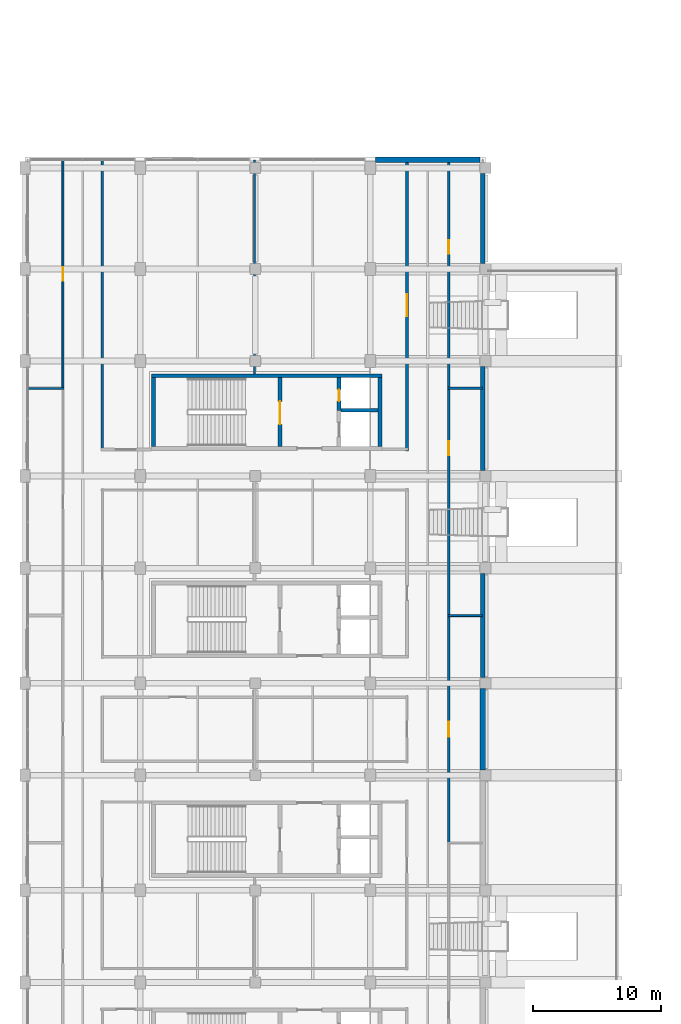
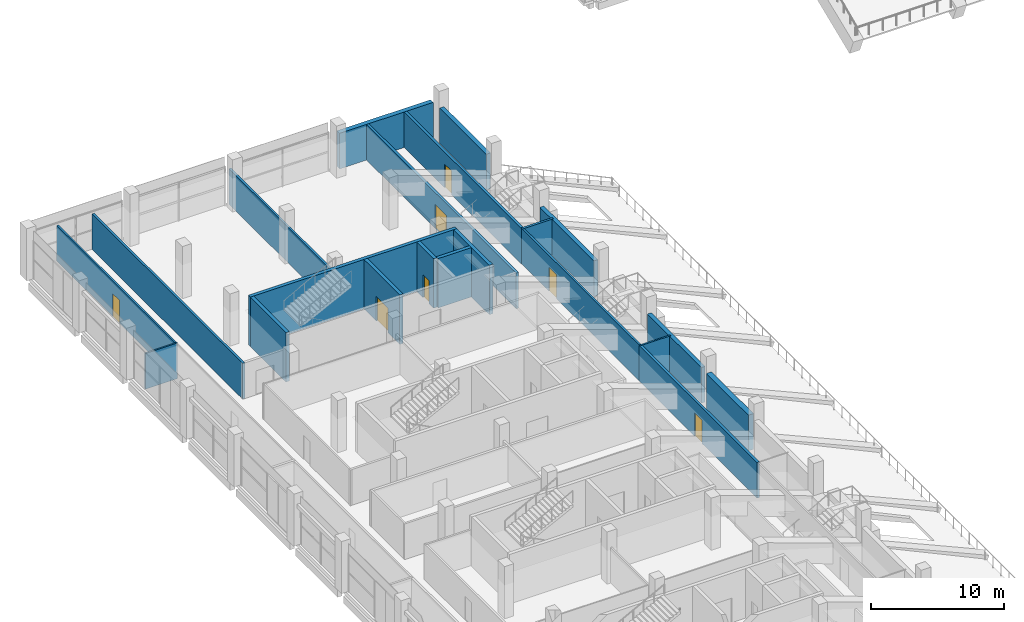
# One storey, part 51 of 66: 21 walls, 7 doors, 7 openings.
"""IFC4 building model written with IfcOpenShell, lengths in metres."""

from ifc_helpers import new_model, si_unit, direction, frame, frame_2d, origin, place, context, subcontext, project, spatial, rectangle, extrude, material, layer, layer_set, type_object, element, fill, save


model = new_model("IFC4")

# Units and contexts
model_context = context("Model", 3, precision=1e-05, world=origin(), true_north=direction((0.0, 1.0)))
body_context = subcontext(model_context, "Body", "Model", "MODEL_VIEW")
ifc_project = project(units=[si_unit("LENGTHUNIT", "METRE"), si_unit("AREAUNIT", "SQUARE_METRE"), si_unit("VOLUMEUNIT", "CUBIC_METRE"), si_unit("PLANEANGLEUNIT", "RADIAN"), si_unit("MASSUNIT", "GRAM", prefix="KILO"), si_unit("THERMODYNAMICTEMPERATUREUNIT", "KELVIN"), si_unit("POWERUNIT", "WATT")], contexts=[model_context])

# Site, building, storey
site_placement = place(None, origin())
site = spatial("IfcSite", under=ifc_project, at=site_placement, CompositionType="ELEMENT")
building_placement = place(site_placement, origin())
building = spatial("IfcBuilding", under=site, at=building_placement, Name="Sindhuravela Promenade Stadium", CompositionType="ELEMENT")
storey_placement = place(building_placement, frame((0.0, 0.0, 19.199951171875)))
storey = spatial("IfcBuildingStorey", under=building, at=storey_placement, Name="L04", CompositionType="ELEMENT", Elevation=19.199951171875)

# Walls
ifc_material_1 = material(Name="Terracotta clay brick masonry (15 MPa)", Category="masonry")
ifc_layer_1 = layer(ifc_material_1, 0.340087890625)
ifc_layer_set_1 = layer_set([ifc_layer_1], Name="Terracotta clay brick masonry (15 MPa)")
wall_type_1 = type_object("IfcWallType", Name="EX-WL-BRK340", PredefinedType="SOLIDWALL", material=ifc_layer_set_1)
wall_1_placement = place(storey_placement, frame((35.800048828125, 93.169921875, 0.0), z_axis=(0.0, 0.0, 1.0), x_axis=(0.0, -1.0, 0.0)))
element("IfcWall", 1, at=wall_1_placement, inside=storey, type_object=wall_type_1, Name="Exterior masonry wall EW06 WEST L04", PredefinedType="SOLIDWALL", context=body_context, shape_type="SweptSolid", body=[
    extrude(rectangle(XDim=8.139892578125, YDim=0.340087890625, at=frame_2d((4.06982421875, 0.0))), origin(), (0.0, 0.0, 1.0), 3.280029296875),
])
ifc_layer_2 = layer(ifc_material_1, 0.360107421875)
ifc_layer_set_2 = layer_set([ifc_layer_2], Name="Terracotta clay brick masonry (15 MPa)")
wall_type_2 = type_object("IfcWallType", Name="EX-WL-BRK360", PredefinedType="SOLIDWALL", material=ifc_layer_set_2)
wall_2_placement = place(storey_placement, frame((35.800048828125, 109.3701171875, 0.0), z_axis=(0.0, 0.0, 1.0), x_axis=(0.0, -1.0, 0.0)))
element("IfcWall", 2, at=wall_2_placement, inside=storey, type_object=wall_type_2, Name="Exterior masonry wall EW05 WEST L04", PredefinedType="SOLIDWALL", context=body_context, shape_type="SweptSolid", body=[
    extrude(rectangle(XDim=8.14013671875, YDim=0.360107421875, at=frame_2d((4.070068359375, 0.0))), origin(), (0.0, 0.0, 1.0), 3.280029296875),
])
ifc_layer_3 = layer(ifc_material_1, 0.3798828125)
ifc_layer_set_3 = layer_set([ifc_layer_3], Name="Terracotta clay brick masonry (15 MPa)")
wall_type_3 = type_object("IfcWallType", Name="EX-WL-BRK380", PredefinedType="SOLIDWALL", material=ifc_layer_set_3)
wall_3_placement = place(storey_placement, frame((35.800048828125, 124.469970703125, 0.0), z_axis=(0.0, 0.0, 1.0), x_axis=(0.0, -1.0, 0.0)))
element("IfcWall", 3, at=wall_3_placement, inside=storey, type_object=wall_type_3, Name="Exterior masonry wall EW04 WEST L04", PredefinedType="SOLIDWALL", context=body_context, shape_type="SweptSolid", body=[
    extrude(rectangle(XDim=7.0400390625, YDim=0.3798828125, at=frame_2d((3.52001953125, 0.0))), origin(), (0.0, 0.0, 1.0), 3.280029296875),
])
ifc_layer_4 = layer(ifc_material_1, 0.39990234375)
ifc_layer_set_4 = layer_set([ifc_layer_4], Name="Terracotta clay brick masonry (15 MPa)")
wall_type_4 = type_object("IfcWallType", Name="EX-WL-BRK400", PredefinedType="SOLIDWALL", material=ifc_layer_set_4)
wall_4_placement = place(storey_placement, frame((27.405029296875, 125.550048828125, 0.0), z_axis=(0.0, 0.0, 1.0), x_axis=(1.0, 0.0, 0.0)))
element("IfcWall", 4, at=wall_4_placement, inside=storey, type_object=wall_type_4, Name="Exterior masonry wall EW03 WEST L04", PredefinedType="SOLIDWALL", context=body_context, shape_type="SweptSolid", body=[
    extrude(rectangle(XDim=8.1650390625, YDim=0.39990234375, at=frame_2d((4.08251953125, 0.0))), origin(), (0.0, 0.0, 1.0), 3.280029296875),
])
ifc_layer_5 = layer(ifc_material_1, 0.4599609375)
ifc_layer_set_5 = layer_set([ifc_layer_5], Name="Terracotta clay brick masonry (15 MPa)")
wall_type_5 = type_object("IfcWallType", Name="EX-WL-BRK460", PredefinedType="SOLIDWALL", material=ifc_layer_set_5)
wall_5_placement = place(storey_placement, frame((35.800048828125, 84.169921875, 0.0), z_axis=(0.0, 0.0, 1.0), x_axis=(0.0, -1.0, 0.0)))
element("IfcWall", 5, at=wall_5_placement, inside=storey, type_object=wall_type_5, Name="Exterior masonry wall EW01 WEST L04", PredefinedType="SOLIDWALL", context=body_context, shape_type="SweptSolid", body=[
    extrude(rectangle(XDim=6.33984375, YDim=0.4599609375, at=frame_2d((3.169921875, 0.0))), origin(), (0.0, 0.0, 1.0), 3.280029296875),
])
ifc_material_2 = material(Name="Fire-rated gypsum partition board", Category="gypsum")
ifc_layer_6 = layer(ifc_material_2, 0.1298828125)
ifc_layer_set_6 = layer_set([ifc_layer_6], Name="Fire-rated gypsum partition board")
wall_type_6 = type_object("IfcWallType", Name="IN-WL-PAR130", PredefinedType="PARTITIONING", material=ifc_layer_set_6)
wall_6_placement = place(storey_placement, frame((3.0400390625, 107.657958984375, 0.0), z_axis=(0.0, 0.0, 1.0), x_axis=(-1.0, 0.0, 0.0)))
element("IfcWall", 6, at=wall_6_placement, inside=storey, type_object=wall_type_6, Name="Interior partition IW05 WEST L04", PredefinedType="PARTITIONING", context=body_context, shape_type="SweptSolid", body=[
    extrude(rectangle(XDim=2.80712890625, YDim=0.1298828125, at=frame_2d((1.403564453125, 0.0))), origin(), (0.0, 0.0, 1.0), 3.280029296875),
])

# Wall, opening, door
ifc_layer_7 = layer(ifc_material_2, 0.14990234375)
ifc_layer_set_7 = layer_set([ifc_layer_7], Name="Fire-rated gypsum partition board")
wall_type_7 = type_object("IfcWallType", Name="IN-WL-PAR150", PredefinedType="PARTITIONING", material=ifc_layer_set_7)
wall_7_placement = place(storey_placement, frame((2.9599609375, 107.657958984375, 0.0), z_axis=(0.0, 0.0, 1.0), x_axis=(0.0, 1.0, 0.0)))
wall_7 = element("IfcWall", 7, at=wall_7_placement, inside=storey, type_object=wall_type_7, Name="Corridor partition IW04 Stadium Operations Office 5", PredefinedType="PARTITIONING", context=body_context, shape_type="SweptSolid", body=[
    extrude(rectangle(XDim=17.89208984375, YDim=0.14990234375, at=frame_2d((8.946044921875, 0.0))), origin(), (0.0, 0.0, 1.0), 3.280029296875),
])
opening_1_placement = place(wall_7_placement, frame((8.4208984375, 0.0, 0.0)))
opening_1 = element("IfcOpeningElement", 8, at=opening_1_placement, cuts=wall_7, Name="Opening ID07", PredefinedType="OPENING", context=body_context, shape_type="SweptSolid", body=[
    extrude(rectangle(XDim=1.050048828125, YDim=2.10009765625, at=frame_2d((0.52490234375, 1.050048828125))), frame((0.0, 0.0849609375, 0.0), z_axis=(0.0, -1.0, 0.0), x_axis=(1.0, 0.0, 0.0)), (0.0, 0.0, 1.0), 0.169921875),
])
ifc_material_3 = material(Name="Architectural teak timber leaf", Category="wood")
door_type_1 = type_object("IfcDoorType", Name="DR-INT-1050x2100", OperationType="NOTDEFINED", PredefinedType="DOOR", material=ifc_material_3)
door_1_placement = place(opening_1_placement, origin())
door_1 = element("IfcDoor", 9, at=door_1_placement, inside=storey, type_object=door_type_1, Name="Stadium Operations Office 5 door", OperationType="SINGLE_SWING_LEFT", OverallHeight=2.10009765625, OverallWidth=1.050048828125, PredefinedType="DOOR", context=body_context, shape_type="SweptSolid", body=[
    extrude(rectangle(XDim=1.050048828125, YDim=2.10009765625, at=frame_2d((0.52490234375, 1.050048828125))), frame((0.0, 0.02490234375, 0.0), z_axis=(0.0, -1.0, 0.0), x_axis=(1.0, 0.0, 0.0)), (0.0, 0.0, 1.0), 0.050048828125),
])
fill(opening_1, door_1)

# Walls
wall_8_placement = place(storey_placement, frame((35.760009765625, 89.885986328125, 0.0), z_axis=(0.0, 0.0, 1.0), x_axis=(-1.0, 0.0, 0.0)))
element("IfcWall", 10, at=wall_8_placement, inside=storey, type_object=wall_type_7, Name="Interior partition IW04 WEST L04", PredefinedType="PARTITIONING", context=body_context, shape_type="SweptSolid", body=[
    extrude(rectangle(XDim=2.699951171875, YDim=0.14990234375, at=frame_2d((1.35009765625, 0.0))), origin(), (0.0, 0.0, 1.0), 3.280029296875),
])
ifc_layer_8 = layer(ifc_material_2, 0.175048828125)
ifc_layer_set_8 = layer_set([ifc_layer_8], Name="Fire-rated gypsum partition board")
wall_type_8 = type_object("IfcWallType", Name="IN-WL-PAR175", PredefinedType="PARTITIONING", material=ifc_layer_set_8)
wall_9_placement = place(storey_placement, frame((17.949951171875, 125.510009765625, 0.0), z_axis=(0.0, 0.0, 1.0), x_axis=(0.0, -1.0, 0.0)))
element("IfcWall", 11, at=wall_9_placement, inside=storey, type_object=wall_type_8, Name="Interior partition IW03 WEST L04", PredefinedType="PARTITIONING", context=body_context, shape_type="SweptSolid", body=[
    extrude(rectangle(XDim=16.7080078125, YDim=0.175048828125, at=frame_2d((8.35400390625, 0.0))), origin(), (0.0, 0.0, 1.0), 3.280029296875),
])

# Wall, opening, door
wall_10_placement = place(storey_placement, frame((33.139892578125, 107.657958984375, 0.0), z_axis=(0.0, 0.0, 1.0), x_axis=(0.0, -1.0, 0.0)))
wall_10 = element("IfcWall", 12, at=wall_10_placement, inside=storey, type_object=wall_type_8, Name="Corridor partition IW03 Upper Concourse Food Kiosk W4 11", PredefinedType="PARTITIONING", context=body_context, shape_type="SweptSolid", body=[
    extrude(rectangle(XDim=17.77197265625, YDim=0.175048828125, at=frame_2d((8.885986328125, 0.0))), origin(), (0.0, 0.0, 1.0), 3.280029296875),
])
opening_2_placement = place(wall_10_placement, frame((4.118408203125, 0.0, 0.0)))
opening_2 = element("IfcOpeningElement", 13, at=opening_2_placement, cuts=wall_10, Name="Opening ID13", PredefinedType="OPENING", context=body_context, shape_type="SweptSolid", body=[
    extrude(rectangle(XDim=1.1201171875, YDim=2.219970703125, at=frame_2d((0.56005859375, 1.10986328125))), frame((0.0, 0.097412109375, 0.0), z_axis=(0.0, -1.0, 0.0), x_axis=(1.0, 0.0, 0.0)), (0.0, 0.0, 1.0), 0.195068359375),
])
door_type_2 = type_object("IfcDoorType", Name="DR-INT-1120x2220", OperationType="NOTDEFINED", PredefinedType="DOOR", material=ifc_material_3)
door_2_placement = place(opening_2_placement, origin())
door_2 = element("IfcDoor", 14, at=door_2_placement, inside=storey, type_object=door_type_2, Name="Upper Concourse Food Kiosk W4 11 door", OperationType="SINGLE_SWING_LEFT", OverallHeight=2.219970703125, OverallWidth=1.1201171875, PredefinedType="DOOR", context=body_context, shape_type="SweptSolid", body=[
    extrude(rectangle(XDim=1.1201171875, YDim=2.219970703125, at=frame_2d((0.56005859375, 1.10986328125))), frame((0.0, 0.02490234375, 0.0), z_axis=(0.0, -1.0, 0.0), x_axis=(1.0, 0.0, 0.0)), (0.0, 0.0, 1.0), 0.050048828125),
])
fill(opening_2, door_2)

# Walls
ifc_layer_9 = layer(ifc_material_2, 0.195068359375)
ifc_layer_set_9 = layer_set([ifc_layer_9], Name="Fire-rated gypsum partition board")
wall_type_9 = type_object("IfcWallType", Name="IN-WL-PAR195", PredefinedType="PARTITIONING", material=ifc_layer_set_9)
wall_11_placement = place(storey_placement, frame((6.0400390625, 102.81005859375, 0.0), z_axis=(0.0, 0.0, 1.0), x_axis=(0.0, 1.0, 0.0)))
element("IfcWall", 15, at=wall_11_placement, inside=storey, type_object=wall_type_9, Name="Interior partition IW02 WEST L04", PredefinedType="PARTITIONING", context=body_context, shape_type="SweptSolid", body=[
    extrude(rectangle(XDim=22.70703125, YDim=0.195068359375, at=frame_2d((11.353515625, 0.0))), origin(), (0.0, 0.0, 1.0), 3.280029296875),
])
wall_12_placement = place(storey_placement, frame((35.760009765625, 107.657958984375, 0.0), z_axis=(0.0, 0.0, 1.0), x_axis=(-1.0, 0.0, 0.0)))
element("IfcWall", 16, at=wall_12_placement, inside=storey, type_object=wall_type_9, Name="Interior partition IW02 WEST L04", PredefinedType="PARTITIONING", context=body_context, shape_type="SweptSolid", body=[
    extrude(rectangle(XDim=2.699951171875, YDim=0.195068359375, at=frame_2d((1.35009765625, 0.0))), origin(), (0.0, 0.0, 1.0), 3.280029296875),
])

# Wall, opening, door
ifc_layer_10 = layer(ifc_material_2, 0.219970703125)
ifc_layer_set_10 = layer_set([ifc_layer_10], Name="Fire-rated gypsum partition board")
wall_type_10 = type_object("IfcWallType", Name="IN-WL-PAR220", PredefinedType="PARTITIONING", material=ifc_layer_set_10)
wall_13_placement = place(storey_placement, frame((29.860107421875, 102.77001953125, 0.0), z_axis=(0.0, 0.0, 1.0), x_axis=(0.0, 1.0, 0.0)))
wall_13 = element("IfcWall", 17, at=wall_13_placement, inside=storey, type_object=wall_type_10, Name="Corridor partition IW01 Panorama Supporters Lounge West", PredefinedType="PARTITIONING", context=body_context, shape_type="SweptSolid", body=[
    extrude(rectangle(XDim=22.780029296875, YDim=0.219970703125, at=frame_2d((11.39013671875, 0.0))), origin(), (0.0, 0.0, 1.0), 3.280029296875),
])
opening_3_placement = place(wall_13_placement, frame((10.5400390625, 0.0, 0.0)))
opening_3 = element("IfcOpeningElement", 18, at=opening_3_placement, cuts=wall_13, Name="Opening ID01", PredefinedType="OPENING", context=body_context, shape_type="SweptSolid", body=[
    extrude(rectangle(XDim=1.699951171875, YDim=2.199951171875, at=frame_2d((0.85009765625, 1.10009765625))), frame((0.0, 0.119873046875, 0.0), z_axis=(0.0, -1.0, 0.0), x_axis=(1.0, 0.0, 0.0)), (0.0, 0.0, 1.0), 0.239990234375),
])
door_type_3 = type_object("IfcDoorType", Name="DR-INT-1700x2200", OperationType="DOUBLE_DOOR_SINGLE_SWING", PredefinedType="DOOR", material=ifc_material_3)
door_3_placement = place(opening_3_placement, origin())
door_3 = element("IfcDoor", 19, at=door_3_placement, inside=storey, type_object=door_type_3, Name="Panorama Supporters Lounge West door", OperationType="DOUBLE_DOOR_SINGLE_SWING", OverallHeight=2.199951171875, OverallWidth=1.699951171875, PredefinedType="DOOR", context=body_context, shape_type="SweptSolid", body=[
    extrude(rectangle(XDim=1.699951171875, YDim=2.199951171875, at=frame_2d((0.85009765625, 1.10009765625))), frame((0.0, 0.02490234375, 0.0), z_axis=(0.0, -1.0, 0.0), x_axis=(1.0, 0.0, 0.0)), (0.0, 0.0, 1.0), 0.050048828125),
])
fill(opening_3, door_3)

wall_14_placement = place(storey_placement, frame((33.139892578125, 125.550048828125, 0.0), z_axis=(0.0, 0.0, 1.0), x_axis=(0.0, -1.0, 0.0)))
wall_14 = element("IfcWall", 20, at=wall_14_placement, inside=storey, type_object=wall_type_10, Name="Corridor partition IW01 Panorama Supporters Lounge West 10", PredefinedType="PARTITIONING", context=body_context, shape_type="SweptSolid", body=[
    extrude(rectangle(XDim=17.89208984375, YDim=0.219970703125, at=frame_2d((8.946044921875, 0.0))), origin(), (0.0, 0.0, 1.0), 3.280029296875),
])
opening_4_placement = place(wall_14_placement, frame((6.287841796875, 0.0, 0.0)))
opening_4 = element("IfcOpeningElement", 21, at=opening_4_placement, cuts=wall_14, Name="Opening ID12", PredefinedType="OPENING", context=body_context, shape_type="SweptSolid", body=[
    extrude(rectangle(XDim=1.080078125, YDim=2.179931640625, at=frame_2d((0.5400390625, 1.08984375))), frame((0.0, 0.119873046875, 0.0), z_axis=(0.0, -1.0, 0.0), x_axis=(1.0, 0.0, 0.0)), (0.0, 0.0, 1.0), 0.239990234375),
])
door_type_4 = type_object("IfcDoorType", Name="DR-INT-1080x2180", OperationType="NOTDEFINED", PredefinedType="DOOR", material=ifc_material_3)
door_4_placement = place(opening_4_placement, origin())
door_4 = element("IfcDoor", 22, at=door_4_placement, inside=storey, type_object=door_type_4, Name="Panorama Supporters Lounge West 10 door", OperationType="SINGLE_SWING_RIGHT", OverallHeight=2.179931640625, OverallWidth=1.080078125, PredefinedType="DOOR", context=body_context, shape_type="SweptSolid", body=[
    extrude(rectangle(XDim=1.080078125, YDim=2.179931640625, at=frame_2d((0.5400390625, 1.08984375))), frame((0.0, 0.02490234375, 0.0), z_axis=(0.0, -1.0, 0.0), x_axis=(1.0, 0.0, 0.0)), (0.0, 0.0, 1.0), 0.050048828125),
])
fill(opening_4, door_4)

wall_15_placement = place(storey_placement, frame((33.139892578125, 89.885986328125, 0.0), z_axis=(0.0, 0.0, 1.0), x_axis=(0.0, -1.0, 0.0)))
wall_15 = element("IfcWall", 23, at=wall_15_placement, inside=storey, type_object=wall_type_10, Name="Corridor partition IW01 Supporter Welfare Room West 13", PredefinedType="PARTITIONING", context=body_context, shape_type="SweptSolid", body=[
    extrude(rectangle(XDim=17.77197265625, YDim=0.219970703125, at=frame_2d((8.885986328125, 0.0))), origin(), (0.0, 0.0, 1.0), 3.280029296875),
])
opening_5_placement = place(wall_15_placement, frame((8.31103515625, 0.0, 0.0)))
opening_5 = element("IfcOpeningElement", 24, at=opening_5_placement, cuts=wall_15, Name="Opening ID05", PredefinedType="OPENING", context=body_context, shape_type="SweptSolid", body=[
    extrude(rectangle(XDim=1.14990234375, YDim=2.14990234375, at=frame_2d((0.574951171875, 1.074951171875))), frame((0.0, 0.119873046875, 0.0), z_axis=(0.0, -1.0, 0.0), x_axis=(1.0, 0.0, 0.0)), (0.0, 0.0, 1.0), 0.239990234375),
])
door_type_5 = type_object("IfcDoorType", Name="DR-INT-1150x2150", OperationType="NOTDEFINED", PredefinedType="DOOR", material=ifc_material_3)
door_5_placement = place(opening_5_placement, origin())
door_5 = element("IfcDoor", 25, at=door_5_placement, inside=storey, type_object=door_type_5, Name="Supporter Welfare Room West 13 door", OperationType="SINGLE_SWING_LEFT", OverallHeight=2.14990234375, OverallWidth=1.14990234375, PredefinedType="DOOR", context=body_context, shape_type="SweptSolid", body=[
    extrude(rectangle(XDim=1.14990234375, YDim=2.14990234375, at=frame_2d((0.574951171875, 1.074951171875))), frame((0.0, 0.02490234375, 0.0), z_axis=(0.0, -1.0, 0.0), x_axis=(1.0, 0.0, 0.0)), (0.0, 0.0, 1.0), 0.050048828125),
])
fill(opening_5, door_5)

# Walls
ifc_material_4 = material(Name="Concrete M50", Category="concrete")
ifc_layer_11 = layer(ifc_material_4, 0.300048828125)
ifc_layer_set_11 = layer_set([ifc_layer_11], Name="Concrete M50")
wall_type_11 = type_object("IfcWallType", Name="RC-SW-300", PredefinedType="SHEAR", material=ifc_layer_set_11)
wall_16_placement = place(storey_placement, frame((27.89990234375, 108.64990234375, 0.0), z_axis=(0.0, 0.0, 1.0), x_axis=(-1.0, 0.0, 0.0)))
element("IfcWall", 26, at=wall_16_placement, inside=storey, type_object=wall_type_11, Name="Core shear wall C04-N (L04)", PredefinedType="SHEAR", context=body_context, shape_type="SweptSolid", body=[
    extrude(rectangle(XDim=18.0, YDim=0.300048828125, at=frame_2d((9.0, 0.0))), origin(), (0.0, 0.0, 1.0), 4.550048828125),
])
for number, where, z_axis, x_axis, name in (
    (27, (10.050048828125, 108.5, 0.0), (0.0, 0.0, 1.0), (0.0, -1.0, 0.0), "Core shear wall C04-W (L04)"),
    (28, (27.75, 103.10009765625, 0.0), (0.0, 0.0, 1.0), (0.0, 1.0, 0.0), "Core shear wall C04-E (L04)"),
):
    element("IfcWall", number, at=place(storey_placement, frame(where, z_axis=z_axis, x_axis=x_axis)), inside=storey, type_object=wall_type_11, Name=name, PredefinedType="SHEAR", context=body_context, shape_type="SweptSolid", body=[
        extrude(rectangle(XDim=5.39990234375, YDim=0.300048828125, at=frame_2d((2.699951171875, 0.0))), origin(), (0.0, 0.0, 1.0), 4.550048828125),
    ])

# Wall, opening, door
wall_17_placement = place(storey_placement, frame((19.949951171875, 103.10009765625, 0.0), z_axis=(0.0, 0.0, 1.0), x_axis=(0.0, 1.0, 0.0)))
wall_17 = element("IfcWall", 29, at=wall_17_placement, inside=storey, type_object=wall_type_11, Name="Core shear wall C04-ST (L04)", PredefinedType="SHEAR", context=body_context, shape_type="SweptSolid", body=[
    extrude(rectangle(XDim=5.39990234375, YDim=0.300048828125, at=frame_2d((2.699951171875, 0.0))), origin(), (0.0, 0.0, 1.0), 4.550048828125),
])
opening_6_placement = place(wall_17_placement, frame((1.75, 0.0, 0.0)))
opening_6 = element("IfcOpeningElement", 30, at=opening_6_placement, cuts=wall_17, Name="Opening FD01", PredefinedType="OPENING", context=body_context, shape_type="SweptSolid", body=[
    extrude(rectangle(XDim=1.800048828125, YDim=2.25, at=frame_2d((0.89990234375, 1.125))), frame((0.0, 0.159912109375, 0.0), z_axis=(0.0, -1.0, 0.0), x_axis=(1.0, 0.0, 0.0)), (0.0, 0.0, 1.0), 0.320068359375),
])
ifc_material_5 = material(Name="Architectural wrought steel E350", Category="steel")
door_type_6 = type_object("IfcDoorType", Name="DR-CORE-1800x2250", OperationType="DOUBLE_DOOR_SINGLE_SWING", PredefinedType="DOOR", material=ifc_material_5)
door_6_placement = place(opening_6_placement, origin())
door_6 = element("IfcDoor", 31, at=door_6_placement, inside=storey, type_object=door_type_6, Name="Stair ST04 lobby fire door (L04)", OperationType="DOUBLE_DOOR_SINGLE_SWING", OverallHeight=2.25, OverallWidth=1.800048828125, PredefinedType="DOOR", context=body_context, shape_type="SweptSolid", body=[
    extrude(rectangle(XDim=1.800048828125, YDim=2.25, at=frame_2d((0.89990234375, 1.125))), frame((0.0, 0.02490234375, 0.0), z_axis=(0.0, -1.0, 0.0), x_axis=(1.0, 0.0, 0.0)), (0.0, 0.0, 1.0), 0.050048828125),
])
fill(opening_6, door_6)

wall_18_placement = place(storey_placement, frame((24.550048828125, 105.949951171875, 0.0), z_axis=(0.0, 0.0, 1.0), x_axis=(0.0, 1.0, 0.0)))
wall_18 = element("IfcWall", 32, at=wall_18_placement, inside=storey, type_object=wall_type_11, Name="Core shear wall C04-RSR (L04)", PredefinedType="SHEAR", context=body_context, shape_type="SweptSolid", body=[
    extrude(rectangle(XDim=2.550048828125, YDim=0.300048828125, at=frame_2d((1.27490234375, 0.0))), origin(), (0.0, 0.0, 1.0), 4.550048828125),
])
opening_7_placement = place(wall_18_placement, frame((0.72509765625, 0.0, 0.0)))
opening_7 = element("IfcOpeningElement", 33, at=opening_7_placement, cuts=wall_18, Name="Opening FD03", PredefinedType="OPENING", context=body_context, shape_type="SweptSolid", body=[
    extrude(rectangle(XDim=0.89990234375, YDim=2.10009765625, at=frame_2d((0.449951171875, 1.050048828125))), frame((0.0, 0.159912109375, 0.0), z_axis=(0.0, -1.0, 0.0), x_axis=(1.0, 0.0, 0.0)), (0.0, 0.0, 1.0), 0.320068359375),
])
door_type_7 = type_object("IfcDoorType", Name="DR-RSR-900x2100", OperationType="NOTDEFINED", PredefinedType="DOOR", material=ifc_material_5)
door_7_placement = place(opening_7_placement, origin())
door_7 = element("IfcDoor", 34, at=door_7_placement, inside=storey, type_object=door_type_7, Name="Riser shaft access door C04 (L04)", OperationType="SINGLE_SWING_LEFT", OverallHeight=2.10009765625, OverallWidth=0.89990234375, PredefinedType="DOOR", context=body_context, shape_type="SweptSolid", body=[
    extrude(rectangle(XDim=0.89990234375, YDim=2.10009765625, at=frame_2d((0.449951171875, 1.050048828125))), frame((0.0, 0.02490234375, 0.0), z_axis=(0.0, -1.0, 0.0), x_axis=(1.0, 0.0, 0.0)), (0.0, 0.0, 1.0), 0.050048828125),
])
fill(opening_7, door_7)

# Wall
wall_19_placement = place(storey_placement, frame((24.699951171875, 105.949951171875, 0.0), z_axis=(0.0, 0.0, 1.0), x_axis=(1.0, 0.0, 0.0)))
element("IfcWall", 35, at=wall_19_placement, inside=storey, type_object=wall_type_11, Name="Core shear wall C04-DIV (L04)", PredefinedType="SHEAR", context=body_context, shape_type="SweptSolid", body=[
    extrude(rectangle(XDim=2.900146484375, YDim=0.300048828125, at=frame_2d((1.4501953125, 0.0))), origin(), (0.0, 0.0, 1.0), 4.550048828125),
])

save(model, "model.ifc")
